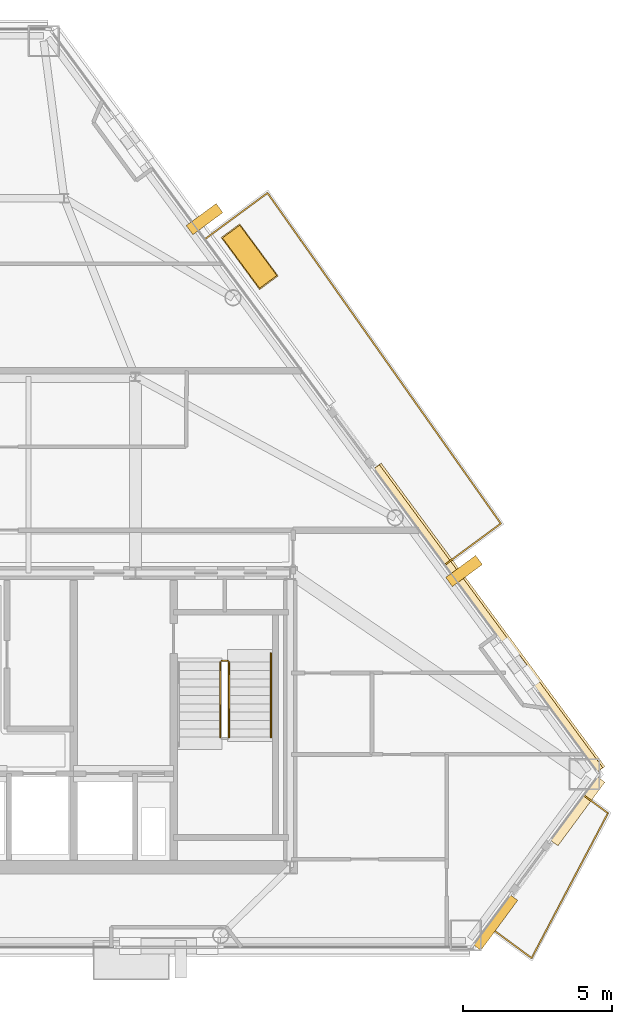
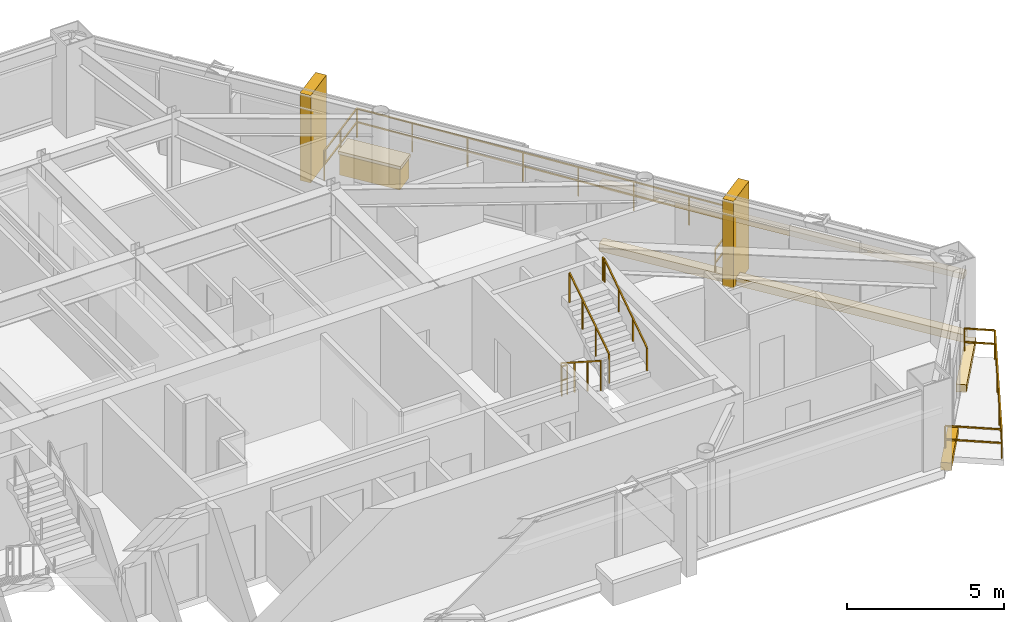
# One storey, part 11 of 11: 8 coverings, 6 railings.
"""IFC4 building model written with IfcOpenShell, lengths in metres."""

import ifcopenshell
import ifcopenshell.guid

model = None  # the IFC model being written
_history = None  # IfcOwnerHistory: only IFC2X3 demands one
_inside = {}  # id of a spatial element -> (the spatial element, [elements in it])
_under = {}  # id of a project, library or spatial element -> (it, [spatial elements below it])
_declared = {}  # id of a project -> (the project, [libraries it declares])
_typed = {}  # id of a type object -> (the type object, [elements of that type])
_made_of = {}  # id of a material, layer set ... -> (it, [elements and type objects made of it])


def new_model(schema):
    """Start an empty IFC model of exactly this schema.

    Asked for "IFC4X3", IfcOpenShell would pick the latest addendum, in which some entities
    have other attributes; the version numbers below select the first issue.
    IFC2X3 requires an IfcOwnerHistory on every rooted entity: one is made here for all.
    """
    global model, _history
    if schema == "IFC4X3":
        model = ifcopenshell.file(schema_version=(4, 3, 0, 0))
    else:
        model = ifcopenshell.file(schema=schema)
    _inside.clear()
    _under.clear()
    _declared.clear()
    _typed.clear()
    _made_of.clear()
    _history = None
    if model.schema == "IFC2X3":
        org = make("IfcOrganization", Name="unknown")
        user = make(
            "IfcPersonAndOrganization",
            ThePerson=make("IfcPerson", FamilyName="unknown"),
            TheOrganization=org,
        )
        app = make(
            "IfcApplication",
            ApplicationDeveloper=org,
            Version="unknown",
            ApplicationFullName="unknown",
            ApplicationIdentifier="unknown",
        )
        _history = make(
            "IfcOwnerHistory",
            OwningUser=user,
            OwningApplication=app,
            ChangeAction="ADDED",
            CreationDate=0,
        )
    return model


def make(cls, **values):
    """One entity of the class cls with the attributes given. An attribute that is None is left unset."""
    return model.create_entity(
        cls, **{name: value for name, value in values.items() if value is not None}
    )


def rooted(cls, **values):
    """An entity with a GlobalId (a new one), such as an element, a storey or a relation."""
    return make(cls, GlobalId=ifcopenshell.guid.new(), OwnerHistory=_history, **values)


def si_unit(unit_type, name, prefix=None):
    """IfcSIUnit, for example si_unit("LENGTHUNIT", "METRE", prefix="MILLI")."""
    return make("IfcSIUnit", UnitType=unit_type, Prefix=prefix, Name=name)


def assignment(units):
    """IfcUnitAssignment: the units of a project."""
    return None if units is None else make("IfcUnitAssignment", Units=units)


def point(xyz):
    """IfcCartesianPoint."""
    return None if xyz is None else make("IfcCartesianPoint", Coordinates=xyz)


def direction(xyz):
    """IfcDirection."""
    return None if xyz is None else make("IfcDirection", DirectionRatios=xyz)


def frame(location, z_axis=None, x_axis=None):
    """IfcAxis2Placement3D, a coordinate frame: its origin and axes. An axis left out is left unset."""
    return make(
        "IfcAxis2Placement3D",
        Location=point(location),
        Axis=direction(z_axis),
        RefDirection=direction(x_axis),
    )


def frame_2d(location, x_axis=None):
    """IfcAxis2Placement2D, a coordinate frame in the plane: its origin and x axis."""
    return make(
        "IfcAxis2Placement2D", Location=point(location), RefDirection=direction(x_axis)
    )


def origin():
    """The frame at (0, 0, 0) with its axes left unset."""
    return frame((0.0, 0.0, 0.0))


def origin_2d():
    """The frame at (0, 0) in the plane with its x axis left unset."""
    return frame_2d((0.0, 0.0))


def place(relative_to, where):
    """IfcLocalPlacement: puts the frame where relative to a parent placement (None: the world)."""
    return make(
        "IfcLocalPlacement", PlacementRelTo=relative_to, RelativePlacement=where
    )


def context(
    kind, dimensions, precision=None, world=None, true_north=None, identifier=None
):
    """IfcGeometricRepresentationContext, for example the 3D "Model" context."""
    return make(
        "IfcGeometricRepresentationContext",
        ContextIdentifier=identifier,
        ContextType=kind,
        CoordinateSpaceDimension=dimensions,
        Precision=precision,
        WorldCoordinateSystem=world,
        TrueNorth=true_north,
    )


def subcontext(parent, identifier, kind, view, scale=None):
    """IfcGeometricRepresentationSubContext, for example "Body" below "Model"."""
    return make(
        "IfcGeometricRepresentationSubContext",
        ContextIdentifier=identifier,
        ContextType=kind,
        ParentContext=parent,
        TargetScale=scale,
        TargetView=view,
    )


def project(units=None, contexts=None):
    """IfcProject with its units and contexts."""
    return rooted(
        "IfcProject",
        Name="project",
        RepresentationContexts=contexts,
        UnitsInContext=assignment(units),
    )


def spatial(cls, under=None, at=None, **own):
    """A site, building, storey or space (cls), placed at a placement, below another one or the project."""
    s = rooted(cls, ObjectPlacement=at, **own)
    if under is not None:
        _under.setdefault(under.id(), (under, []))[1].append(s)
    return s


def profile(cls, at=None, kind="AREA", **sizes):
    """A parametric profile (cls). Its sizes go by their IFC names, for example OverallWidth=200.0."""
    return make(cls, ProfileType=kind, Position=at, **sizes)


def rectangle(**sizes):
    """IfcRectangleProfileDef."""
    return profile("IfcRectangleProfileDef", **sizes)


def extrude(swept, where, along, depth):
    """IfcExtrudedAreaSolid: the profile swept, set in the frame where, extruded along a direction by depth."""
    return make(
        "IfcExtrudedAreaSolid",
        SweptArea=swept,
        Position=where,
        ExtrudedDirection=direction(along),
        Depth=depth,
    )


def shape(context_of_items, identifier, shape_type, items):
    """IfcShapeRepresentation: the items that make up one representation, for example the "Body"."""
    return make(
        "IfcShapeRepresentation",
        ContextOfItems=context_of_items,
        RepresentationIdentifier=identifier,
        RepresentationType=shape_type,
        Items=items,
    )


def material(Name=None, Category=None):
    """IfcMaterial."""
    return make("IfcMaterial", Name=Name, Category=Category)


def layer(
    of_material, thickness, ventilated=None, Name=None, Category=None, Priority=None
):
    """IfcMaterialLayer: one layer of a wall or slab, of a material (None: an air gap)."""
    return make(
        "IfcMaterialLayer",
        Material=of_material,
        LayerThickness=thickness,
        IsVentilated=ventilated,
        Name=Name,
        Category=Category,
        Priority=Priority,
    )


def layer_set(layers, Name=None):
    """IfcMaterialLayerSet."""
    return make("IfcMaterialLayerSet", MaterialLayers=layers, LayerSetName=Name)


def made_of(thing, what):
    """Note that an element or type object is made of a material, layer set ...; save() writes the relation."""
    if what is not None:
        _made_of.setdefault(what.id(), (what, []))[1].append(thing)
    return thing


def type_object(cls, material=None, **own):
    """A type object (cls), such as IfcWallType, which elements share."""
    return made_of(rooted(cls, **own), material)


def element(
    cls,
    number,
    at=None,
    inside=None,
    cuts=None,
    type_object=None,
    material=None,
    context=None,
    identifier="Body",
    shape_type=None,
    held_by="IfcProductDefinitionShape",
    body=None,
    shapes=None,
    **own,
):
    """One element of the class cls, such as IfcWall. Its Tag is "e" and its number.

    at: its placement. inside: the storey or other place that contains it. cuts: it is an
    opening in that element (IfcRelVoidsElement). A single representation is given by context,
    identifier, shape_type and body (its items); several are given by shapes. held_by: the class
    of the entity that holds the representations. save() writes the other relations.
    """
    e = rooted(cls, Tag="e%d" % number, ObjectPlacement=at, **own)
    if body is not None:
        shapes = [shape(context, identifier, shape_type, body)]
    if shapes is not None:
        e.Representation = make(held_by, Representations=shapes)
    if inside is not None:
        _inside.setdefault(inside.id(), (inside, []))[1].append(e)
    if cuts is not None:
        rooted(
            "IfcRelVoidsElement", RelatingBuildingElement=cuts, RelatedOpeningElement=e
        )
    if type_object is not None:
        _typed.setdefault(type_object.id(), (type_object, []))[1].append(e)
    return made_of(e, material)


def aggregate(whole, parts):
    """IfcRelAggregates: a whole, such as a stair, and the parts it consists of."""
    return rooted("IfcRelAggregates", RelatingObject=whole, RelatedObjects=parts)


def save(model, path):
    """Write the relations noted so far, then the file.

    IfcRelAggregates (storeys below a building ...), IfcRelContainedInSpatialStructure (elements
    in a storey), IfcRelDefinesByType, IfcRelAssociatesMaterial and IfcRelDeclares: one each for
    every whole, place, type object, material and project.
    """
    for whole, parts in _under.values():
        aggregate(whole, parts)
    for where, things in _inside.values():
        rooted(
            "IfcRelContainedInSpatialStructure",
            RelatedElements=things,
            RelatingStructure=where,
        )
    for kind, things in _typed.values():
        rooted("IfcRelDefinesByType", RelatedObjects=things, RelatingType=kind)
    for what, things in _made_of.values():
        rooted("IfcRelAssociatesMaterial", RelatedObjects=things, RelatingMaterial=what)
    for by, libraries in _declared.values():
        rooted("IfcRelDeclares", RelatingContext=by, RelatedDefinitions=libraries)
    model.write(path)


model = new_model("IFC4")

# Units and contexts
model_context = context("Model", 3, precision=1e-05, world=origin(), true_north=direction((0.0, 1.0)))
body_context = subcontext(model_context, "Body", "Model", "MODEL_VIEW")
ifc_project = project(units=[si_unit("LENGTHUNIT", "METRE"), si_unit("AREAUNIT", "SQUARE_METRE"), si_unit("VOLUMEUNIT", "CUBIC_METRE"), si_unit("PLANEANGLEUNIT", "RADIAN"), si_unit("MASSUNIT", "GRAM", prefix="KILO")], contexts=[model_context])

# Site, building, storey
site_placement = place(None, origin())
site = spatial("IfcSite", under=ifc_project, at=site_placement, CompositionType="ELEMENT")
building_placement = place(site_placement, origin())
building = spatial("IfcBuilding", under=site, at=building_placement, Name="Talgorran Terracotta Tower", CompositionType="ELEMENT")
storey_placement = place(building_placement, frame((0.0, 0.0, 178.5)))
storey = spatial("IfcBuildingStorey", under=building, at=storey_placement, Name="L46", CompositionType="ELEMENT", Elevation=178.5)

# Coverings
ifc_material_1 = material(Name="Kiln-Fired Terracotta Ochre Ceramic", Category="masonry")
ifc_layer_1 = layer(ifc_material_1, 0.179931640625, Name="COV_BAGUETTE_TERRACOTTA_SCREEN")
ifc_layer_set_1 = layer_set([ifc_layer_1], Name="Kiln-Fired Terracotta Ochre Ceramic")
covering_type_1 = type_object("IfcCoveringType", Name="COV_BAGUETTE_TERRACOTTA_SCREEN", PredefinedType="CLADDING", material=ifc_layer_set_1)
covering_1_placement = place(storey_placement, frame((19.05126953125, -5.730224609375, 2.41015625), z_axis=(0.0, 0.0, 1.0), x_axis=(-0.593489124579, 0.804842008724, 0.0)))
element("IfcCovering", 1, at=covering_1_placement, inside=storey, type_object=covering_type_1, Name="L46 Terracotta Baguette Solar Screen Assembly F40", PredefinedType="CLADDING", context=body_context, shape_type="SweptSolid", body=[
    extrude(rectangle(XDim=12.65380859375, YDim=0.260009765625, at=origin_2d()), origin(), (0.0, 0.0, 1.0), 0.219970703125),
])
ifc_material_2 = material(Name="Honed Limestone and Terracotta Planter", Category="masonry")
ifc_layer_2 = layer(ifc_material_2, 0.1201171875, Name="COV_PLANTER_BOX")
ifc_layer_set_2 = layer_set([ifc_layer_2], Name="Honed Limestone and Terracotta Planter")
covering_type_2 = type_object("IfcCoveringType", Name="COV_PLANTER_BOX", PredefinedType="CLADDING", material=ifc_layer_set_2)
covering_2_placement = place(storey_placement, frame((11.03857421875, 6.43310546875, -0.02001953125), z_axis=(0.0, 0.0, 1.0), x_axis=(-0.593489124579, 0.804842008724, 0.0)))
element("IfcCovering", 2, at=covering_2_placement, inside=storey, type_object=covering_type_2, Name="L46 Staggered Balcony Planter Box BAL-NE", PredefinedType="CLADDING", context=body_context, shape_type="SweptSolid", body=[
    extrude(rectangle(XDim=2.10009765625, YDim=0.719970703125, at=origin_2d()), origin(), (0.0, 0.0, 1.0), 0.860107421875),
])
ifc_material_3 = material(Name="Kiln-Fired Terracotta Planter Rim", Category="masonry")
ifc_layer_3 = layer(ifc_material_3, 0.10009765625, Name="COV_PLANTER_RIM")
ifc_layer_set_3 = layer_set([ifc_layer_3], Name="Kiln-Fired Terracotta Planter Rim")
covering_type_3 = type_object("IfcCoveringType", Name="COV_PLANTER_RIM", PredefinedType="CLADDING", material=ifc_layer_set_3)
covering_3_placement = place(storey_placement, frame((11.03857421875, 6.43310546875, 0.800048828125), z_axis=(0.0, 0.0, 1.0), x_axis=(-0.593489124579, 0.804842008724, 0.0)))
element("IfcCovering", 3, at=covering_3_placement, inside=storey, type_object=covering_type_3, Name="L46 Balcony Planter Terracotta Rim BAL-NE", PredefinedType="CLADDING", context=body_context, shape_type="SweptSolid", body=[
    extrude(rectangle(XDim=2.179931640625, YDim=0.780029296875, at=origin_2d()), origin(), (0.0, 0.0, 1.0), 0.1201171875),
])
ifc_material_4 = material(Name="Honed Limestone Cladding", Category="masonry")
ifc_layer_4 = layer(ifc_material_4, 0.094970703125, Name="COV_PORTAL_LIME")
ifc_layer_set_4 = layer_set([ifc_layer_4], Name="Honed Limestone Cladding")
covering_type_4 = type_object("IfcCoveringType", Name="COV_PORTAL_LIME", PredefinedType="CLADDING", material=ifc_layer_set_4)
covering_4_placement = place(storey_placement, frame((19.294921875, -15.947265625, -0.0400390625), z_axis=(0.0, 0.0, 1.0), x_axis=(0.593503171631, 0.804831650262, 0.0)))
element("IfcCovering", 4, at=covering_4_placement, inside=storey, type_object=covering_type_4, Name="L46 Striped Postmodern Portal Cladding Band F30", PredefinedType="CLADDING", context=body_context, shape_type="SweptSolid", body=[
    extrude(rectangle(XDim=2.08984375, YDim=0.340087890625, at=origin_2d()), origin(), (0.0, 0.0, 1.0), 0.300048828125),
])
covering_5_placement = place(storey_placement, frame((22.05615234375, -12.202392578125, -0.0400390625), z_axis=(0.0, 0.0, 1.0), x_axis=(0.593517218503, 0.804821291555, 0.0)))
element("IfcCovering", 5, at=covering_5_placement, inside=storey, type_object=covering_type_4, Name="L46 Striped Postmodern Portal Cladding Band F31", PredefinedType="CLADDING", context=body_context, shape_type="SweptSolid", body=[
    extrude(rectangle(XDim=2.655517578125, YDim=0.340087890625, at=origin_2d()), origin(), (0.0, 0.0, 1.0), 0.300048828125),
])
covering_6_placement = place(storey_placement, frame((19.08349609375, -5.70654296875, -0.0400390625), z_axis=(0.0, 0.0, 1.0), x_axis=(-0.593489124579, 0.804842008724, 0.0)))
element("IfcCovering", 6, at=covering_6_placement, inside=storey, type_object=covering_type_4, Name="L46 Striped Postmodern Portal Cladding Band F40", PredefinedType="CLADDING", context=body_context, shape_type="SweptSolid", body=[
    extrude(rectangle(XDim=12.673583984375, YDim=0.340087890625, at=origin_2d()), origin(), (0.0, 0.0, 1.0), 0.300048828125),
])
covering_7_placement = place(storey_placement, frame((9.521240234375, 7.69873046875, -0.050048828125), z_axis=(0.0, 0.0, 1.0), x_axis=(-0.593489124579, 0.804842008724, 0.0)))
element("IfcCovering", 7, at=covering_7_placement, inside=storey, type_object=covering_type_4, Name="L46 White Striped Portal Fin F3-2", PredefinedType="CLADDING", context=body_context, shape_type="SweptSolid", body=[
    extrude(rectangle(XDim=0.3798828125, YDim=1.25, at=origin_2d()), origin(), (0.0, 0.0, 1.0), 3.39990234375),
])
ifc_material_5 = material(Name="Kiln-Fired Terracotta Cladding", Category="masonry")
ifc_layer_5 = layer(ifc_material_5, 0.090087890625, Name="COV_PORTAL_TERRA")
ifc_layer_set_5 = layer_set([ifc_layer_5], Name="Kiln-Fired Terracotta Cladding")
covering_type_5 = type_object("IfcCoveringType", Name="COV_PORTAL_TERRA", PredefinedType="CLADDING", material=ifc_layer_set_5)
covering_8_placement = place(storey_placement, frame((18.24609375, -4.133056640625, -0.050048828125), z_axis=(0.0, 0.0, 1.0), x_axis=(-0.593489124579, 0.804842008724, 0.0)))
element("IfcCovering", 8, at=covering_8_placement, inside=storey, type_object=covering_type_5, Name="L46 Terracotta Striped Portal Fin F3-1", PredefinedType="CLADDING", context=body_context, shape_type="SweptSolid", body=[
    extrude(rectangle(XDim=0.3798828125, YDim=1.25, at=origin_2d()), origin(), (0.0, 0.0, 1.0), 3.39990234375),
])

# Railings
ifc_material_6 = material(Name="Laminated Glass and Stainless Steel 316", Category="steel")
railing_type_1 = type_object("IfcRailingType", Name="RL_BALCONY_1150", PredefinedType="BALUSTRADE", material=ifc_material_6)
railing_1_placement = place(storey_placement, frame((17.6142578125, -3.91650390625, 0.0)))
element("IfcRailing", 9, at=railing_1_placement, inside=storey, type_object=railing_type_1, Name="RL-L46-BAL-BAL-NE", PredefinedType="BALUSTRADE", context=body_context, shape_type="SweptSolid", body=[
    extrude(rectangle(XDim=0.048095703125, YDim=0.048095703125, at=origin_2d()), frame((0.0, 0.0, 1.1259765625), z_axis=(0.804868187936, 0.593453620807, 0.0), x_axis=(-0.593453620807, 0.804868187936, 0.0)), (0.0, 0.0, 1.0), 2.322265625),
    extrude(rectangle(XDim=0.048095703125, YDim=0.048095703125, at=origin_2d()), frame((0.0, 0.0, 0.597900390625), z_axis=(0.804868187936, 0.593453620807, 0.0), x_axis=(-0.593453620807, 0.804868187936, 0.0)), (0.0, 0.0, 1.0), 2.322265625),
    extrude(rectangle(XDim=0.048095703125, YDim=0.048095703125, at=origin_2d()), frame((1.869140625, 1.378173828125, 1.1259765625), z_axis=(-0.576625425956, 0.817008640187, 0.0), x_axis=(-0.817008640187, -0.576625425956, 0.0)), (0.0, 0.0, 1.0), 13.60546875),
    extrude(rectangle(XDim=0.048095703125, YDim=0.048095703125, at=origin_2d()), frame((1.869140625, 1.378173828125, 0.597900390625), z_axis=(-0.576625425956, 0.817008640187, 0.0), x_axis=(-0.817008640187, -0.576625425956, 0.0)), (0.0, 0.0, 1.0), 13.60546875),
    extrude(rectangle(XDim=0.048095703125, YDim=0.048095703125, at=origin_2d()), frame((-5.97607421875, 12.493896484375, 1.1259765625), z_axis=(-0.80483200606, -0.593502689145, 0.0), x_axis=(0.593502689145, -0.80483200606, 0.0)), (0.0, 0.0, 1.0), 2.605224609375),
    extrude(rectangle(XDim=0.048095703125, YDim=0.048095703125, at=origin_2d()), frame((-5.97607421875, 12.493896484375, 0.597900390625), z_axis=(-0.80483200606, -0.593502689145, 0.0), x_axis=(0.593502689145, -0.80483200606, 0.0)), (0.0, 0.0, 1.0), 2.605224609375),
    extrude(rectangle(XDim=0.0419921875, YDim=0.0419921875, at=origin_2d()), origin(), (0.0, 0.0, 1.0), 1.101806640625),
    extrude(rectangle(XDim=0.0419921875, YDim=0.0419921875, at=origin_2d()), frame((0.9345703125, 0.68896484375, 0.0)), (0.0, 0.0, 1.0), 1.101806640625),
    extrude(rectangle(XDim=0.0419921875, YDim=0.0419921875, at=origin_2d()), frame((1.869140625, 1.378173828125, 0.0)), (0.0, 0.0, 1.0), 1.101806640625),
    extrude(rectangle(XDim=0.0419921875, YDim=0.0419921875, at=origin_2d()), frame((0.748291015625, 2.966064453125, 0.0)), (0.0, 0.0, 1.0), 1.101806640625),
    extrude(rectangle(XDim=0.0419921875, YDim=0.0419921875, at=origin_2d()), frame((-0.372314453125, 4.55419921875, 0.0)), (0.0, 0.0, 1.0), 1.101806640625),
    extrude(rectangle(XDim=0.0419921875, YDim=0.0419921875, at=origin_2d()), frame((-1.4931640625, 6.14208984375, 0.0)), (0.0, 0.0, 1.0), 1.101806640625),
    extrude(rectangle(XDim=0.0419921875, YDim=0.0419921875, at=origin_2d()), frame((-2.61376953125, 7.72998046875, 0.0)), (0.0, 0.0, 1.0), 1.101806640625),
    extrude(rectangle(XDim=0.0419921875, YDim=0.0419921875, at=origin_2d()), frame((-3.734619140625, 9.31787109375, 0.0)), (0.0, 0.0, 1.0), 1.101806640625),
    extrude(rectangle(XDim=0.0419921875, YDim=0.0419921875, at=origin_2d()), frame((-4.855224609375, 10.906005859375, 0.0)), (0.0, 0.0, 1.0), 1.101806640625),
    extrude(rectangle(XDim=0.0419921875, YDim=0.0419921875, at=origin_2d()), frame((-5.97607421875, 12.493896484375, 0.0)), (0.0, 0.0, 1.0), 1.101806640625),
    extrude(rectangle(XDim=0.0419921875, YDim=0.0419921875, at=origin_2d()), frame((-7.0244140625, 11.720703125, 0.0)), (0.0, 0.0, 1.0), 1.101806640625),
    extrude(rectangle(XDim=0.0419921875, YDim=0.0419921875, at=origin_2d()), frame((-8.07275390625, 10.94775390625, 0.0)), (0.0, 0.0, 1.0), 1.101806640625),
])
railing_2_placement = place(storey_placement, frame((19.055419921875, -16.069580078125, 0.0)))
element("IfcRailing", 10, at=railing_2_placement, inside=storey, type_object=railing_type_1, Name="RL-L46-BAL-BAL-SE", PredefinedType="BALUSTRADE", context=body_context, shape_type="SweptSolid", body=[
    extrude(rectangle(XDim=0.048095703125, YDim=0.048095703125, at=origin_2d()), frame((0.0, 0.0, 1.1259765625), z_axis=(0.804839788082, -0.593492136023, 0.0), x_axis=(0.593492136023, 0.804839788082, 0.0)), (0.0, 0.0, 1.0), 1.818115234375),
    extrude(rectangle(XDim=0.048095703125, YDim=0.048095703125, at=origin_2d()), frame((0.0, 0.0, 0.597900390625), z_axis=(0.804839788082, -0.593492136023, 0.0), x_axis=(0.593492136023, 0.804839788082, 0.0)), (0.0, 0.0, 1.0), 1.818115234375),
    extrude(rectangle(XDim=0.048095703125, YDim=0.048095703125, at=origin_2d()), frame((1.46337890625, -1.0791015625, 1.1259765625), z_axis=(0.465929136065, 0.884822038698, 0.0), x_axis=(-0.884822038698, 0.465929136065, 0.0)), (0.0, 0.0, 1.0), 5.507080078125),
    extrude(rectangle(XDim=0.048095703125, YDim=0.048095703125, at=origin_2d()), frame((1.46337890625, -1.0791015625, 0.597900390625), z_axis=(0.465929136065, 0.884822038698, 0.0), x_axis=(-0.884822038698, 0.465929136065, 0.0)), (0.0, 0.0, 1.0), 5.507080078125),
    extrude(rectangle(XDim=0.048095703125, YDim=0.048095703125, at=origin_2d()), frame((4.029296875, 3.793701171875, 1.1259765625), z_axis=(-0.804820554494, 0.593518217971, 0.0), x_axis=(-0.593518217971, -0.804820554494, 0.0)), (0.0, 0.0, 1.0), 0.991455078125),
    extrude(rectangle(XDim=0.048095703125, YDim=0.048095703125, at=origin_2d()), frame((4.029296875, 3.793701171875, 0.597900390625), z_axis=(-0.804820554494, 0.593518217971, 0.0), x_axis=(-0.593518217971, -0.804820554494, 0.0)), (0.0, 0.0, 1.0), 0.991455078125),
    extrude(rectangle(XDim=0.0419921875, YDim=0.0419921875, at=origin_2d()), origin(), (0.0, 0.0, 1.0), 1.101806640625),
    extrude(rectangle(XDim=0.0419921875, YDim=0.0419921875, at=origin_2d()), frame((1.46337890625, -1.0791015625, 0.0)), (0.0, 0.0, 1.0), 1.101806640625),
    extrude(rectangle(XDim=0.0419921875, YDim=0.0419921875, at=origin_2d()), frame((2.318603515625, 0.545166015625, 0.0)), (0.0, 0.0, 1.0), 1.101806640625),
    extrude(rectangle(XDim=0.0419921875, YDim=0.0419921875, at=origin_2d()), frame((3.174072265625, 2.16943359375, 0.0)), (0.0, 0.0, 1.0), 1.101806640625),
    extrude(rectangle(XDim=0.0419921875, YDim=0.0419921875, at=origin_2d()), frame((4.029296875, 3.793701171875, 0.0)), (0.0, 0.0, 1.0), 1.101806640625),
    extrude(rectangle(XDim=0.0419921875, YDim=0.0419921875, at=origin_2d()), frame((3.2314453125, 4.382080078125, 0.0)), (0.0, 0.0, 1.0), 1.101806640625),
])
ifc_material_7 = material(Name="Steel S355 (300PLUS)", Category="steel")
railing_type_2 = type_object("IfcRailingType", Name="RL_HANDRAIL_920", PredefinedType="HANDRAIL", material=ifc_material_7)
railing_3_placement = place(storey_placement, frame((11.75, -9.719970703125, 1.97998046875)))
element("IfcRailing", 11, at=railing_3_placement, inside=storey, type_object=railing_type_2, Name="L46 ST-02 stair handrail 2", PredefinedType="HANDRAIL", context=body_context, shape_type="SweptSolid", body=[
    extrude(rectangle(XDim=0.048095703125, YDim=0.048095703125, at=origin_2d()), frame((0.0, 0.0, 0.89599609375), z_axis=(0.0, 0.832038719335, 0.554717558338), x_axis=(-1.0, 0.0, 0.0)), (0.0, 0.0, 1.0), 3.244873046875),
    extrude(rectangle(XDim=0.048095703125, YDim=0.048095703125, at=origin_2d()), frame((0.0, 2.699951171875, 2.69580078125), z_axis=(0.0, 1.0, 0.0), x_axis=(-1.0, 0.0, 0.0)), (0.0, 0.0, 1.0), 0.1201171875),
    extrude(rectangle(XDim=0.0419921875, YDim=0.0419921875, at=origin_2d()), origin(), (0.0, 0.0, 1.0), 0.871826171875),
    extrude(rectangle(XDim=0.0419921875, YDim=0.0419921875, at=origin_2d()), frame((0.0, 0.89990234375, 0.60009765625)), (0.0, 0.0, 1.0), 0.871826171875),
    extrude(rectangle(XDim=0.0419921875, YDim=0.0419921875, at=origin_2d()), frame((0.0, 1.800048828125, 1.199951171875)), (0.0, 0.0, 1.0), 0.871826171875),
    extrude(rectangle(XDim=0.0419921875, YDim=0.0419921875, at=origin_2d()), frame((0.0, 2.699951171875, 1.800048828125)), (0.0, 0.0, 1.0), 0.871826171875),
    extrude(rectangle(XDim=0.0419921875, YDim=0.0419921875, at=origin_2d()), frame((0.0, 2.820068359375, 1.800048828125)), (0.0, 0.0, 1.0), 0.871826171875),
])
railing_type_3 = type_object("IfcRailingType", Name="RL_STAIR_GUARD", PredefinedType="GUARDRAIL", material=ifc_material_7)
railing_4_placement = place(storey_placement, frame((10.050048828125, -7.199951171875, 0.179931640625)))
element("IfcRailing", 12, at=railing_4_placement, inside=storey, type_object=railing_type_3, Name="L46 ST-02 stair guard 1", PredefinedType="GUARDRAIL", context=body_context, shape_type="SweptSolid", body=[
    extrude(rectangle(XDim=0.048095703125, YDim=0.048095703125, at=origin_2d()), frame((0.0, 0.0, 1.15576171875), z_axis=(0.0, -0.841162588446, 0.540782303519), x_axis=(1.0, 0.0, 0.0)), (0.0, 0.0, 1.0), 2.995849609375),
    extrude(rectangle(XDim=0.0419921875, YDim=0.0419921875, at=origin_2d()), origin(), (0.0, 0.0, 1.0), 1.1318359375),
    extrude(rectangle(XDim=0.0419921875, YDim=0.0419921875, at=origin_2d()), frame((0.0, -0.840087890625, 0.5400390625)), (0.0, 0.0, 1.0), 1.1318359375),
    extrude(rectangle(XDim=0.0419921875, YDim=0.0419921875, at=origin_2d()), frame((0.0, -1.679931640625, 1.080078125)), (0.0, 0.0, 1.0), 1.1318359375),
    extrude(rectangle(XDim=0.0419921875, YDim=0.0419921875, at=origin_2d()), frame((0.0, -2.52001953125, 1.6201171875)), (0.0, 0.0, 1.0), 1.1318359375),
])
railing_5_placement = place(storey_placement, frame((10.35009765625, -9.719970703125, 1.97998046875)))
element("IfcRailing", 13, at=railing_5_placement, inside=storey, type_object=railing_type_3, Name="L46 ST-02 stair guard 3", PredefinedType="GUARDRAIL", context=body_context, shape_type="SweptSolid", body=[
    extrude(rectangle(XDim=0.048095703125, YDim=0.048095703125, at=origin_2d()), frame((0.0, 0.0, 1.15576171875), z_axis=(0.0, 0.841162588446, 0.540782303519), x_axis=(-1.0, 0.0, 0.0)), (0.0, 0.0, 1.0), 2.995849609375),
    extrude(rectangle(XDim=0.0419921875, YDim=0.0419921875, at=origin_2d()), origin(), (0.0, 0.0, 1.0), 1.1318359375),
    extrude(rectangle(XDim=0.0419921875, YDim=0.0419921875, at=origin_2d()), frame((0.0, 0.840087890625, 0.5400390625)), (0.0, 0.0, 1.0), 1.1318359375),
    extrude(rectangle(XDim=0.0419921875, YDim=0.0419921875, at=origin_2d()), frame((0.0, 1.679931640625, 1.080078125)), (0.0, 0.0, 1.0), 1.1318359375),
    extrude(rectangle(XDim=0.0419921875, YDim=0.0419921875, at=origin_2d()), frame((0.0, 2.52001953125, 1.6201171875)), (0.0, 0.0, 1.0), 1.1318359375),
])
railing_6_placement = place(storey_placement, frame((10.10009765625, -7.14990234375, 0.0)))
element("IfcRailing", 14, at=railing_6_placement, inside=storey, type_object=railing_type_3, Name="L46 ST-02 stair guard 4", PredefinedType="GUARDRAIL", context=body_context, shape_type="SweptSolid", body=[
    extrude(rectangle(XDim=0.048095703125, YDim=0.048095703125, at=origin_2d()), frame((0.0, 0.0, 1.15576171875), z_axis=(1.0, 0.0, 0.0), x_axis=(0.0, 1.0, 0.0)), (0.0, 0.0, 1.0), 0.199951171875),
    extrude(rectangle(XDim=0.048095703125, YDim=0.048095703125, at=origin_2d()), frame((0.0, 0.0, 0.613525390625), z_axis=(1.0, 0.0, 0.0), x_axis=(0.0, 1.0, 0.0)), (0.0, 0.0, 1.0), 0.199951171875),
    extrude(rectangle(XDim=0.0419921875, YDim=0.0419921875, at=origin_2d()), origin(), (0.0, 0.0, 1.0), 1.1318359375),
    extrude(rectangle(XDim=0.0419921875, YDim=0.0419921875, at=origin_2d()), frame((0.199951171875, 0.0, 0.0)), (0.0, 0.0, 1.0), 1.1318359375),
])

save(model, "model.ifc")
